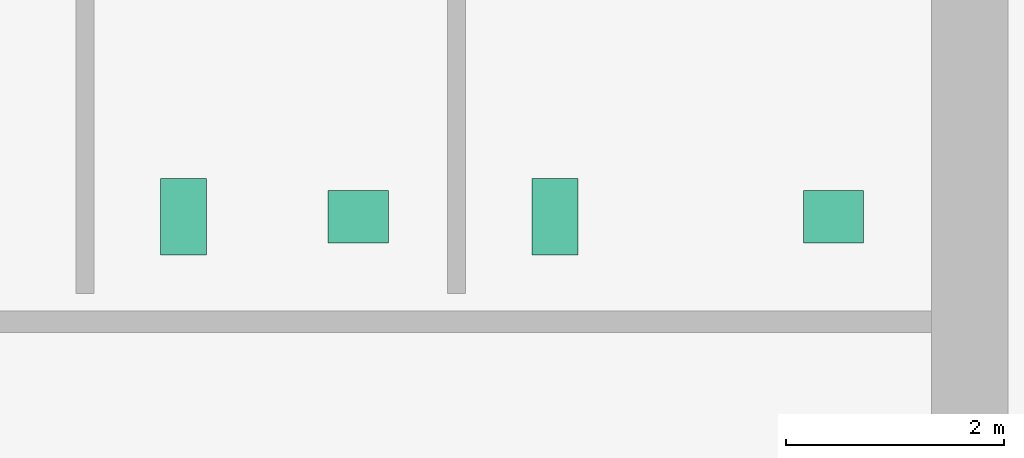
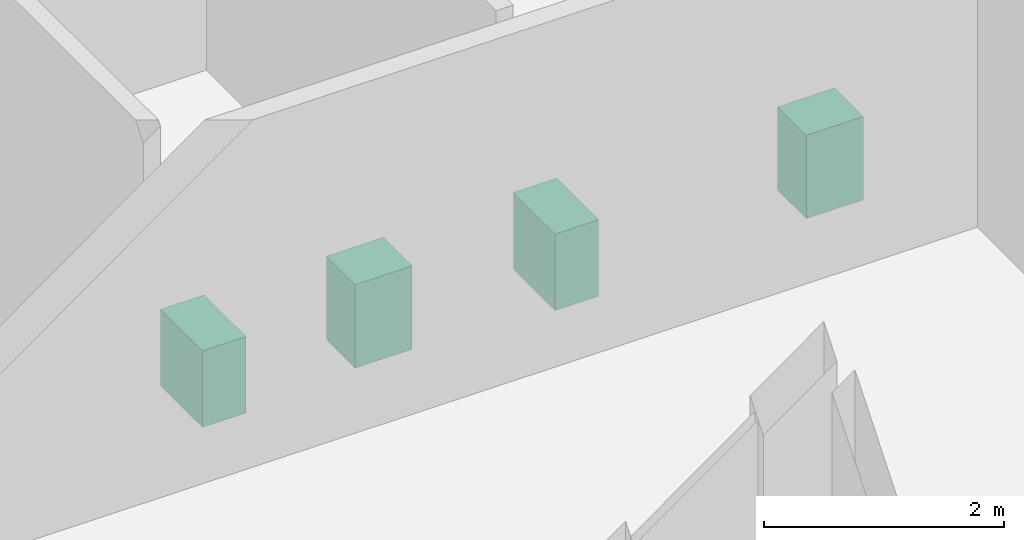
# One storey, part 14 of 14: 4 sanitary terminals.
"""IFC4 building model written with IfcOpenShell, lengths in metres."""

from ifc_helpers import new_model, si_unit, direction, frame, origin, origin_2d, place, context, subcontext, project, spatial, rectangle, extrude, material, type_object, element, save


model = new_model("IFC4")

# Units and contexts
model_context = context("Model", 3, precision=1e-05, world=origin(), true_north=direction((0.0, 1.0)))
body_context = subcontext(model_context, "Body", "Model", "MODEL_VIEW")
ifc_project = project(units=[si_unit("LENGTHUNIT", "METRE"), si_unit("AREAUNIT", "SQUARE_METRE"), si_unit("VOLUMEUNIT", "CUBIC_METRE"), si_unit("PLANEANGLEUNIT", "RADIAN"), si_unit("MASSUNIT", "GRAM", prefix="KILO")], contexts=[model_context])

# Site, building, storey
site_placement = place(None, origin())
site = spatial("IfcSite", under=ifc_project, at=site_placement, CompositionType="ELEMENT")
building_placement = place(site_placement, origin())
building = spatial("IfcBuilding", under=site, at=building_placement, Name="Norrvale University Quadrangle", CompositionType="ELEMENT")
storey_placement = place(building_placement, frame((0.0, 0.0, 116.60009765625)))
storey = spatial("IfcBuildingStorey", under=building, at=storey_placement, Name="L29", CompositionType="ELEMENT", Elevation=116.60009765625)

# Sanitary terminals
ifc_material = material(Name="Vitreous China Sanitaryware")
sanitary_terminal_type_1 = type_object("IfcSanitaryTerminalType", Name="Sanitary Wash Basin", PredefinedType="WASHHANDBASIN", material=ifc_material)
for number, where, z_axis, x_axis, name in (
    (1, (11.199951171875, 41.10009765625, -0.000244140625), (0.0, 0.0, 1.0), (1.0, 0.0, 0.0), "Accessible Countertop Washbasin L29-1"),
    (2, (15.550048828125, 41.10009765625, -0.000244140625), (0.0, 0.0, 1.0), (1.0, 0.0, 0.0), "Accessible Countertop Washbasin L29-2"),
):
    element("IfcSanitaryTerminal", number, at=place(storey_placement, frame(where, z_axis=z_axis, x_axis=x_axis)), inside=storey, type_object=sanitary_terminal_type_1, Name=name, PredefinedType="WASHHANDBASIN", context=body_context, shape_type="SweptSolid", body=[
        extrude(rectangle(XDim=0.550048828125, YDim=0.47998046875, at=origin_2d()), origin(), (0.0, 0.0, 1.0), 0.85009765625),
    ])
sanitary_terminal_type_2 = type_object("IfcSanitaryTerminalType", Name="Sanitary Water Closet", PredefinedType="TOILETPAN", material=ifc_material)
for number, where, z_axis, x_axis, name in (
    (3, (9.60009765625, 41.10009765625, 0.0), (0.0, 0.0, 1.0), (1.0, 0.0, 0.0), "Wall-Hung Water Closet L29-1"),
    (4, (13.0, 41.10009765625, 0.0), (0.0, 0.0, 1.0), (1.0, 0.0, 0.0), "Wall-Hung Water Closet L29-2"),
):
    element("IfcSanitaryTerminal", number, at=place(storey_placement, frame(where, z_axis=z_axis, x_axis=x_axis)), inside=storey, type_object=sanitary_terminal_type_2, Name=name, PredefinedType="TOILETPAN", context=body_context, shape_type="SweptSolid", body=[
        extrude(rectangle(XDim=0.419921875, YDim=0.699951171875, at=origin_2d()), origin(), (0.0, 0.0, 1.0), 0.780029296875),
    ])

save(model, "model.ifc")
